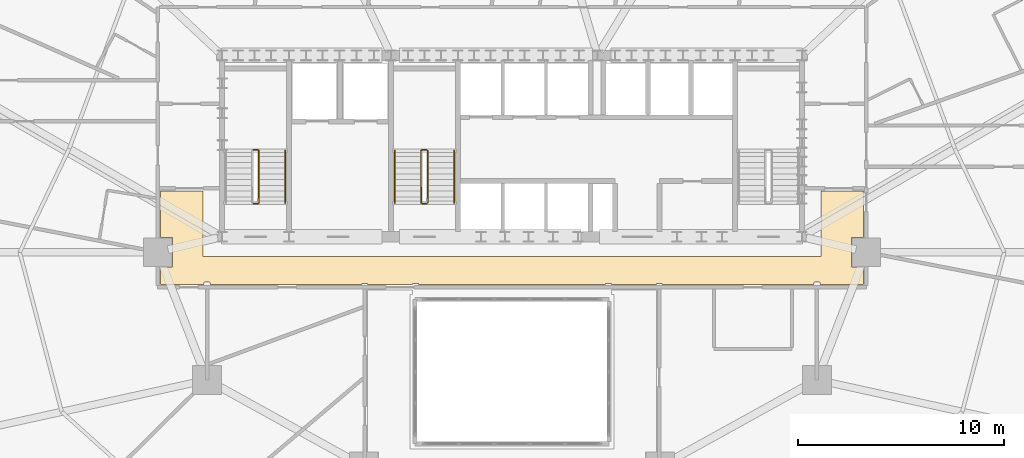
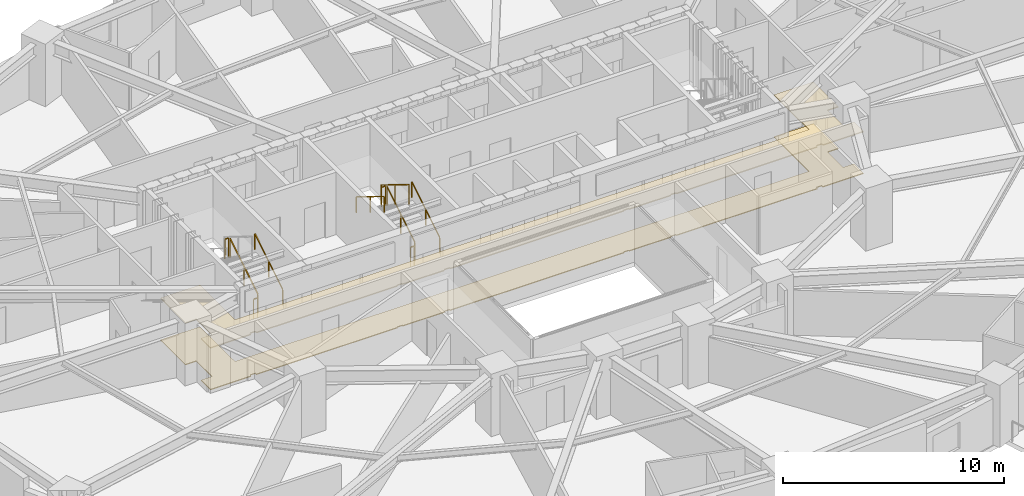
# One storey, part 15 of 17: 10 railings, 2 coverings.
"""IFC4 building model written with IfcOpenShell, lengths in metres."""

from ifc_helpers import new_model, si_unit, direction, frame, origin, origin_2d, place, context, subcontext, project, spatial, polyline, rectangle, outline, extrude, material, layer, layer_set, type_object, element, save


model = new_model("IFC4")

# Units and contexts
model_context = context("Model", 3, precision=1e-05, world=origin(), true_north=direction((0.0, 1.0)))
body_context = subcontext(model_context, "Body", "Model", "MODEL_VIEW")
ifc_project = project(units=[si_unit("LENGTHUNIT", "METRE"), si_unit("AREAUNIT", "SQUARE_METRE"), si_unit("VOLUMEUNIT", "CUBIC_METRE"), si_unit("PLANEANGLEUNIT", "RADIAN"), si_unit("MASSUNIT", "GRAM", prefix="KILO")], contexts=[model_context])

# Site, building, storey
site_placement = place(None, origin())
site = spatial("IfcSite", under=ifc_project, at=site_placement, CompositionType="ELEMENT")
building_placement = place(site_placement, origin())
building = spatial("IfcBuilding", under=site, at=building_placement, Name="Haldorwick Loom Tower", CompositionType="ELEMENT")
storey_placement = place(building_placement, frame((0.0, 0.0, 55.050048828125)))
storey = spatial("IfcBuildingStorey", under=building, at=storey_placement, Name="L14", CompositionType="ELEMENT", Elevation=55.050048828125)

# Coverings
ifc_material_1 = material(Name="Mineral Fibre Acoustic Ceiling Tile")
ifc_layer_1 = layer(ifc_material_1, 0.054931640625, Name="Mineral Fibre Acoustic Ceiling Tile")
ifc_layer_set_1 = layer_set([ifc_layer_1], Name="Mineral Fibre Acoustic Ceiling Tile")
covering_type_1 = type_object("IfcCoveringType", Name="ARC-COV-CEIL2", PredefinedType="CEILING", material=ifc_layer_set_1)
covering_1_placement = place(storey_placement, frame((0.0, 0.0, 2.302001953125)))
element("IfcCovering", 1, at=covering_1_placement, inside=storey, type_object=covering_type_1, Name="L14 Acoustic Suspended Ceiling 2", PredefinedType="CEILING", context=body_context, shape_type="SweptSolid", body=[
    extrude(outline(polyline([(51.0, 28.9599609375), (51.0, 25.800048828125), (21.0, 25.800048828125), (21.0, 28.9599609375), (18.93994140625, 28.9599609375), (18.93994140625, 26.7080078125), (19.508056640625, 26.7080078125), (19.508056640625, 25.2919921875), (18.93994140625, 25.2919921875), (18.93994140625, 24.43994140625), (21.06005859375, 24.43994140625), (21.06005859375, 24.52001953125), (21.06005859375, 24.52197265625), (21.060302734375, 24.52392578125), (21.060791015625, 24.52587890625), (21.0615234375, 24.527587890625), (21.0625, 24.529296875), (21.0634765625, 24.531005859375), (21.064453125, 24.53271484375), (21.06591796875, 24.5341796875), (21.0673828125, 24.535400390625), (21.06884765625, 24.53662109375), (21.070556640625, 24.53759765625), (21.072265625, 24.53857421875), (21.07421875, 24.5390625), (21.076171875, 24.53955078125), (21.077880859375, 24.539794921875), (21.080078125, 24.5400390625), (21.320068359375, 24.5400390625), (21.322021484375, 24.539794921875), (21.323974609375, 24.53955078125), (21.32568359375, 24.5390625), (21.32763671875, 24.53857421875), (21.329345703125, 24.53759765625), (21.3310546875, 24.53662109375), (21.332763671875, 24.535400390625), (21.333984375, 24.5341796875), (21.33544921875, 24.53271484375), (21.336669921875, 24.531005859375), (21.337646484375, 24.529296875), (21.33837890625, 24.527587890625), (21.339111328125, 24.52587890625), (21.339599609375, 24.52392578125), (21.33984375, 24.52197265625), (21.340087890625, 24.52001953125), (21.340087890625, 24.43994140625), (28.7099609375, 24.43994140625), (28.7099609375, 24.469970703125), (28.710205078125, 24.471923828125), (28.71044921875, 24.473876953125), (28.7109375, 24.475830078125), (28.71142578125, 24.477783203125), (28.71240234375, 24.4794921875), (28.71337890625, 24.481201171875), (28.714599609375, 24.482666015625), (28.7158203125, 24.484130859375), (28.71728515625, 24.485595703125), (28.718994140625, 24.486572265625), (28.720703125, 24.487548828125), (28.722412109375, 24.488525390625), (28.72412109375, 24.489013671875), (28.72607421875, 24.489501953125), (28.72802734375, 24.489990234375), (28.72998046875, 24.489990234375), (28.969970703125, 24.489990234375), (28.971923828125, 24.489990234375), (28.973876953125, 24.489501953125), (28.975830078125, 24.489013671875), (28.977783203125, 24.488525390625), (28.9794921875, 24.487548828125), (28.981201171875, 24.486572265625), (28.982666015625, 24.485595703125), (28.984130859375, 24.484130859375), (28.985595703125, 24.482666015625), (28.986572265625, 24.481201171875), (28.987548828125, 24.4794921875), (28.988525390625, 24.477783203125), (28.989013671875, 24.475830078125), (28.989501953125, 24.473876953125), (28.989990234375, 24.471923828125), (28.989990234375, 24.469970703125), (28.989990234375, 24.43994140625), (31.179931640625, 24.43994140625), (31.179931640625, 24.469970703125), (31.18017578125, 24.471923828125), (31.180419921875, 24.473876953125), (31.180908203125, 24.475830078125), (31.181396484375, 24.477783203125), (31.182373046875, 24.4794921875), (31.183349609375, 24.481201171875), (31.1845703125, 24.482666015625), (31.185791015625, 24.484130859375), (31.187255859375, 24.485595703125), (31.18896484375, 24.486572265625), (31.190673828125, 24.487548828125), (31.1923828125, 24.488525390625), (31.194091796875, 24.489013671875), (31.196044921875, 24.489501953125), (31.197998046875, 24.489990234375), (31.199951171875, 24.489990234375), (31.43994140625, 24.489990234375), (31.44189453125, 24.489990234375), (31.44384765625, 24.489501953125), (31.44580078125, 24.489013671875), (31.44775390625, 24.488525390625), (31.449462890625, 24.487548828125), (31.451171875, 24.486572265625), (31.45263671875, 24.485595703125), (31.4541015625, 24.484130859375), (31.45556640625, 24.482666015625), (31.45654296875, 24.481201171875), (31.45751953125, 24.4794921875), (31.45849609375, 24.477783203125), (31.458984375, 24.475830078125), (31.459716796875, 24.473876953125), (31.4599609375, 24.471923828125), (31.4599609375, 24.469970703125), (31.4599609375, 24.43994140625), (40.5400390625, 24.43994140625), (40.5400390625, 24.469970703125), (40.5400390625, 24.471923828125), (40.540283203125, 24.473876953125), (40.541015625, 24.475830078125), (40.54150390625, 24.477783203125), (40.54248046875, 24.4794921875), (40.54345703125, 24.481201171875), (40.54443359375, 24.482666015625), (40.5458984375, 24.484130859375), (40.54736328125, 24.485595703125), (40.548828125, 24.486572265625), (40.550537109375, 24.487548828125), (40.55224609375, 24.488525390625), (40.55419921875, 24.489013671875), (40.55615234375, 24.489501953125), (40.55810546875, 24.489990234375), (40.56005859375, 24.489990234375), (40.800048828125, 24.489990234375), (40.802001953125, 24.489990234375), (40.803955078125, 24.489501953125), (40.805908203125, 24.489013671875), (40.8076171875, 24.488525390625), (40.809326171875, 24.487548828125), (40.81103515625, 24.486572265625), (40.812744140625, 24.485595703125), (40.814208984375, 24.484130859375), (40.8154296875, 24.482666015625), (40.816650390625, 24.481201171875), (40.817626953125, 24.4794921875), (40.818603515625, 24.477783203125), (40.819091796875, 24.475830078125), (40.819580078125, 24.473876953125), (40.81982421875, 24.471923828125), (40.820068359375, 24.469970703125), (40.820068359375, 24.43994140625), (43.010009765625, 24.43994140625), (43.010009765625, 24.469970703125), (43.010009765625, 24.471923828125), (43.010498046875, 24.473876953125), (43.010986328125, 24.475830078125), (43.011474609375, 24.477783203125), (43.012451171875, 24.4794921875), (43.013427734375, 24.481201171875), (43.014404296875, 24.482666015625), (43.015869140625, 24.484130859375), (43.017333984375, 24.485595703125), (43.018798828125, 24.486572265625), (43.0205078125, 24.487548828125), (43.022216796875, 24.488525390625), (43.024169921875, 24.489013671875), (43.026123046875, 24.489501953125), (43.028076171875, 24.489990234375), (43.030029296875, 24.489990234375), (43.27001953125, 24.489990234375), (43.27197265625, 24.489990234375), (43.27392578125, 24.489501953125), (43.27587890625, 24.489013671875), (43.277587890625, 24.488525390625), (43.279296875, 24.487548828125), (43.281005859375, 24.486572265625), (43.28271484375, 24.485595703125), (43.2841796875, 24.484130859375), (43.285400390625, 24.482666015625), (43.28662109375, 24.481201171875), (43.28759765625, 24.4794921875), (43.28857421875, 24.477783203125), (43.2890625, 24.475830078125), (43.28955078125, 24.473876953125), (43.289794921875, 24.471923828125), (43.2900390625, 24.469970703125), (43.2900390625, 24.43994140625), (50.659912109375, 24.43994140625), (50.659912109375, 24.52001953125), (50.66015625, 24.52197265625), (50.660400390625, 24.52392578125), (50.660888671875, 24.52587890625), (50.66162109375, 24.527587890625), (50.662353515625, 24.529296875), (50.663330078125, 24.531005859375), (50.66455078125, 24.53271484375), (50.666015625, 24.5341796875), (50.667236328125, 24.535400390625), (50.6689453125, 24.53662109375), (50.670654296875, 24.53759765625), (50.67236328125, 24.53857421875), (50.67431640625, 24.5390625), (50.676025390625, 24.53955078125), (50.677978515625, 24.539794921875), (50.679931640625, 24.5400390625), (50.919921875, 24.5400390625), (50.922119140625, 24.539794921875), (50.923828125, 24.53955078125), (50.92578125, 24.5390625), (50.927734375, 24.53857421875), (50.929443359375, 24.53759765625), (50.93115234375, 24.53662109375), (50.9326171875, 24.535400390625), (50.93408203125, 24.5341796875), (50.935546875, 24.53271484375), (50.9365234375, 24.531005859375), (50.9375, 24.529296875), (50.9384765625, 24.527587890625), (50.939208984375, 24.52587890625), (50.939697265625, 24.52392578125), (50.93994140625, 24.52197265625), (50.93994140625, 24.52001953125), (50.93994140625, 24.43994140625), (53.06005859375, 24.43994140625), (53.06005859375, 25.2919921875), (52.491943359375, 25.2919921875), (52.491943359375, 26.7080078125), (53.06005859375, 26.7080078125), (53.06005859375, 28.9599609375), (51.0, 28.9599609375)])), origin(), (0.0, 0.0, 1.0), 0.054931640625),
])
ifc_material_2 = material(Name="Polished Aggregate Terrazzo Finish")
ifc_layer_2 = layer(ifc_material_2, 0.044921875, Name="Polished Aggregate Terrazzo Finish")
ifc_layer_set_2 = layer_set([ifc_layer_2], Name="Polished Aggregate Terrazzo Finish")
covering_type_2 = type_object("IfcCoveringType", Name="ARC-COV-FLOOR2", PredefinedType="FLOORING", material=ifc_layer_set_2)
covering_2_placement = place(storey_placement, origin())
element("IfcCovering", 2, at=covering_2_placement, inside=storey, type_object=covering_type_2, Name="L14 Floor Finish 2", PredefinedType="FLOORING", context=body_context, shape_type="SweptSolid", body=[
    extrude(outline(polyline([(51.0, 28.9599609375), (51.0, 25.800048828125), (21.0, 25.800048828125), (21.0, 28.9599609375), (18.93994140625, 28.9599609375), (18.93994140625, 26.7080078125), (19.508056640625, 26.7080078125), (19.508056640625, 25.2919921875), (18.93994140625, 25.2919921875), (18.93994140625, 24.43994140625), (21.06005859375, 24.43994140625), (21.06005859375, 24.52001953125), (21.06005859375, 24.52197265625), (21.060302734375, 24.52392578125), (21.060791015625, 24.52587890625), (21.0615234375, 24.527587890625), (21.0625, 24.529296875), (21.0634765625, 24.531005859375), (21.064453125, 24.53271484375), (21.06591796875, 24.5341796875), (21.0673828125, 24.535400390625), (21.06884765625, 24.53662109375), (21.070556640625, 24.53759765625), (21.072265625, 24.53857421875), (21.07421875, 24.5390625), (21.076171875, 24.53955078125), (21.077880859375, 24.539794921875), (21.080078125, 24.5400390625), (21.320068359375, 24.5400390625), (21.322021484375, 24.539794921875), (21.323974609375, 24.53955078125), (21.32568359375, 24.5390625), (21.32763671875, 24.53857421875), (21.329345703125, 24.53759765625), (21.3310546875, 24.53662109375), (21.332763671875, 24.535400390625), (21.333984375, 24.5341796875), (21.33544921875, 24.53271484375), (21.336669921875, 24.531005859375), (21.337646484375, 24.529296875), (21.33837890625, 24.527587890625), (21.339111328125, 24.52587890625), (21.339599609375, 24.52392578125), (21.33984375, 24.52197265625), (21.340087890625, 24.52001953125), (21.340087890625, 24.43994140625), (28.7099609375, 24.43994140625), (28.7099609375, 24.469970703125), (28.710205078125, 24.471923828125), (28.71044921875, 24.473876953125), (28.7109375, 24.475830078125), (28.71142578125, 24.477783203125), (28.71240234375, 24.4794921875), (28.71337890625, 24.481201171875), (28.714599609375, 24.482666015625), (28.7158203125, 24.484130859375), (28.71728515625, 24.485595703125), (28.718994140625, 24.486572265625), (28.720703125, 24.487548828125), (28.722412109375, 24.488525390625), (28.72412109375, 24.489013671875), (28.72607421875, 24.489501953125), (28.72802734375, 24.489990234375), (28.72998046875, 24.489990234375), (28.969970703125, 24.489990234375), (28.971923828125, 24.489990234375), (28.973876953125, 24.489501953125), (28.975830078125, 24.489013671875), (28.977783203125, 24.488525390625), (28.9794921875, 24.487548828125), (28.981201171875, 24.486572265625), (28.982666015625, 24.485595703125), (28.984130859375, 24.484130859375), (28.985595703125, 24.482666015625), (28.986572265625, 24.481201171875), (28.987548828125, 24.4794921875), (28.988525390625, 24.477783203125), (28.989013671875, 24.475830078125), (28.989501953125, 24.473876953125), (28.989990234375, 24.471923828125), (28.989990234375, 24.469970703125), (28.989990234375, 24.43994140625), (31.179931640625, 24.43994140625), (31.179931640625, 24.469970703125), (31.18017578125, 24.471923828125), (31.180419921875, 24.473876953125), (31.180908203125, 24.475830078125), (31.181396484375, 24.477783203125), (31.182373046875, 24.4794921875), (31.183349609375, 24.481201171875), (31.1845703125, 24.482666015625), (31.185791015625, 24.484130859375), (31.187255859375, 24.485595703125), (31.18896484375, 24.486572265625), (31.190673828125, 24.487548828125), (31.1923828125, 24.488525390625), (31.194091796875, 24.489013671875), (31.196044921875, 24.489501953125), (31.197998046875, 24.489990234375), (31.199951171875, 24.489990234375), (31.43994140625, 24.489990234375), (31.44189453125, 24.489990234375), (31.44384765625, 24.489501953125), (31.44580078125, 24.489013671875), (31.44775390625, 24.488525390625), (31.449462890625, 24.487548828125), (31.451171875, 24.486572265625), (31.45263671875, 24.485595703125), (31.4541015625, 24.484130859375), (31.45556640625, 24.482666015625), (31.45654296875, 24.481201171875), (31.45751953125, 24.4794921875), (31.45849609375, 24.477783203125), (31.458984375, 24.475830078125), (31.459716796875, 24.473876953125), (31.4599609375, 24.471923828125), (31.4599609375, 24.469970703125), (31.4599609375, 24.43994140625), (40.5400390625, 24.43994140625), (40.5400390625, 24.469970703125), (40.5400390625, 24.471923828125), (40.540283203125, 24.473876953125), (40.541015625, 24.475830078125), (40.54150390625, 24.477783203125), (40.54248046875, 24.4794921875), (40.54345703125, 24.481201171875), (40.54443359375, 24.482666015625), (40.5458984375, 24.484130859375), (40.54736328125, 24.485595703125), (40.548828125, 24.486572265625), (40.550537109375, 24.487548828125), (40.55224609375, 24.488525390625), (40.55419921875, 24.489013671875), (40.55615234375, 24.489501953125), (40.55810546875, 24.489990234375), (40.56005859375, 24.489990234375), (40.800048828125, 24.489990234375), (40.802001953125, 24.489990234375), (40.803955078125, 24.489501953125), (40.805908203125, 24.489013671875), (40.8076171875, 24.488525390625), (40.809326171875, 24.487548828125), (40.81103515625, 24.486572265625), (40.812744140625, 24.485595703125), (40.814208984375, 24.484130859375), (40.8154296875, 24.482666015625), (40.816650390625, 24.481201171875), (40.817626953125, 24.4794921875), (40.818603515625, 24.477783203125), (40.819091796875, 24.475830078125), (40.819580078125, 24.473876953125), (40.81982421875, 24.471923828125), (40.820068359375, 24.469970703125), (40.820068359375, 24.43994140625), (43.010009765625, 24.43994140625), (43.010009765625, 24.469970703125), (43.010009765625, 24.471923828125), (43.010498046875, 24.473876953125), (43.010986328125, 24.475830078125), (43.011474609375, 24.477783203125), (43.012451171875, 24.4794921875), (43.013427734375, 24.481201171875), (43.014404296875, 24.482666015625), (43.015869140625, 24.484130859375), (43.017333984375, 24.485595703125), (43.018798828125, 24.486572265625), (43.0205078125, 24.487548828125), (43.022216796875, 24.488525390625), (43.024169921875, 24.489013671875), (43.026123046875, 24.489501953125), (43.028076171875, 24.489990234375), (43.030029296875, 24.489990234375), (43.27001953125, 24.489990234375), (43.27197265625, 24.489990234375), (43.27392578125, 24.489501953125), (43.27587890625, 24.489013671875), (43.277587890625, 24.488525390625), (43.279296875, 24.487548828125), (43.281005859375, 24.486572265625), (43.28271484375, 24.485595703125), (43.2841796875, 24.484130859375), (43.285400390625, 24.482666015625), (43.28662109375, 24.481201171875), (43.28759765625, 24.4794921875), (43.28857421875, 24.477783203125), (43.2890625, 24.475830078125), (43.28955078125, 24.473876953125), (43.289794921875, 24.471923828125), (43.2900390625, 24.469970703125), (43.2900390625, 24.43994140625), (50.659912109375, 24.43994140625), (50.659912109375, 24.52001953125), (50.66015625, 24.52197265625), (50.660400390625, 24.52392578125), (50.660888671875, 24.52587890625), (50.66162109375, 24.527587890625), (50.662353515625, 24.529296875), (50.663330078125, 24.531005859375), (50.66455078125, 24.53271484375), (50.666015625, 24.5341796875), (50.667236328125, 24.535400390625), (50.6689453125, 24.53662109375), (50.670654296875, 24.53759765625), (50.67236328125, 24.53857421875), (50.67431640625, 24.5390625), (50.676025390625, 24.53955078125), (50.677978515625, 24.539794921875), (50.679931640625, 24.5400390625), (50.919921875, 24.5400390625), (50.922119140625, 24.539794921875), (50.923828125, 24.53955078125), (50.92578125, 24.5390625), (50.927734375, 24.53857421875), (50.929443359375, 24.53759765625), (50.93115234375, 24.53662109375), (50.9326171875, 24.535400390625), (50.93408203125, 24.5341796875), (50.935546875, 24.53271484375), (50.9365234375, 24.531005859375), (50.9375, 24.529296875), (50.9384765625, 24.527587890625), (50.939208984375, 24.52587890625), (50.939697265625, 24.52392578125), (50.93994140625, 24.52197265625), (50.93994140625, 24.52001953125), (50.93994140625, 24.43994140625), (53.06005859375, 24.43994140625), (53.06005859375, 25.2919921875), (52.491943359375, 25.2919921875), (52.491943359375, 26.7080078125), (53.06005859375, 26.7080078125), (53.06005859375, 28.9599609375), (51.0, 28.9599609375)])), origin(), (0.0, 0.0, 1.0), 0.044921875),
])

# Railings
ifc_material_3 = material(Name="Steel CSA G40.21 350W", Category="steel")
railing_type_1 = type_object("IfcRailingType", Name="ARC-RLG-GUARD112", PredefinedType="GUARDRAIL", material=ifc_material_3)
railing_1_placement = place(storey_placement, frame((23.699951171875, 28.39990234375, 0.17236328125)))
element("IfcRailing", 3, at=railing_1_placement, inside=storey, type_object=railing_type_1, Name="L14 ST-01 stair guard 1", PredefinedType="GUARDRAIL", context=body_context, shape_type="SweptSolid", body=[
    extrude(rectangle(XDim=0.048095703125, YDim=0.048095703125, at=origin_2d()), frame((0.0, 0.0, 1.076171875), z_axis=(0.0, 0.851400495292, 0.524516154772), x_axis=(-1.0, 0.0, 0.0)), (0.0, 0.0, 1.0), 2.9599609375),
    extrude(rectangle(XDim=0.0419921875, YDim=0.0419921875, at=origin_2d()), origin(), (0.0, 0.0, 1.0), 1.052001953125),
    extrude(rectangle(XDim=0.0419921875, YDim=0.0419921875, at=origin_2d()), frame((0.0, 1.260009765625, 0.7763671875)), (0.0, 0.0, 1.0), 1.052001953125),
    extrude(rectangle(XDim=0.0419921875, YDim=0.0419921875, at=origin_2d()), frame((0.0, 2.52001953125, 1.552490234375)), (0.0, 0.0, 1.0), 1.052001953125),
])
for number, where, name in (
    (4, (23.64990234375, 30.969970703125, 1.724853515625), "L14 ST-01 stair guard 2"),
    (5, (23.64990234375, 28.35009765625, 0.0), "L14 ST-01 stair guard 4"),
):
    element("IfcRailing", number, at=place(storey_placement, frame(where)), inside=storey, type_object=railing_type_1, Name=name, PredefinedType="GUARDRAIL", context=body_context, shape_type="SweptSolid", body=[
        extrude(rectangle(XDim=0.048095703125, YDim=0.048095703125, at=origin_2d()), frame((0.0, 0.0, 1.076171875), z_axis=(-1.0, 0.0, 0.0), x_axis=(0.0, -1.0, 0.0)), (0.0, 0.0, 1.0), 0.199951171875),
        extrude(rectangle(XDim=0.0419921875, YDim=0.0419921875, at=origin_2d()), origin(), (0.0, 0.0, 1.0), 1.052001953125),
        extrude(rectangle(XDim=0.0419921875, YDim=0.0419921875, at=origin_2d()), frame((-0.199951171875, 0.0, 0.0)), (0.0, 0.0, 1.0), 1.052001953125),
    ])
railing_2_placement = place(storey_placement, frame((31.89990234375, 28.39990234375, 0.17236328125)))
element("IfcRailing", 6, at=railing_2_placement, inside=storey, type_object=railing_type_1, Name="L14 ST-03 stair guard 1", PredefinedType="GUARDRAIL", context=body_context, shape_type="SweptSolid", body=[
    extrude(rectangle(XDim=0.048095703125, YDim=0.048095703125, at=origin_2d()), frame((0.0, 0.0, 1.076171875), z_axis=(0.0, 0.851400495292, 0.524516154772), x_axis=(-1.0, 0.0, 0.0)), (0.0, 0.0, 1.0), 2.9599609375),
    extrude(rectangle(XDim=0.0419921875, YDim=0.0419921875, at=origin_2d()), origin(), (0.0, 0.0, 1.0), 1.052001953125),
    extrude(rectangle(XDim=0.0419921875, YDim=0.0419921875, at=origin_2d()), frame((0.0, 1.260009765625, 0.7763671875)), (0.0, 0.0, 1.0), 1.052001953125),
    extrude(rectangle(XDim=0.0419921875, YDim=0.0419921875, at=origin_2d()), frame((0.0, 2.52001953125, 1.552490234375)), (0.0, 0.0, 1.0), 1.052001953125),
])
railing_3_placement = place(storey_placement, frame((31.85009765625, 30.969970703125, 1.724853515625)))
element("IfcRailing", 7, at=railing_3_placement, inside=storey, type_object=railing_type_1, Name="L14 ST-03 stair guard 2", PredefinedType="GUARDRAIL", context=body_context, shape_type="SweptSolid", body=[
    extrude(rectangle(XDim=0.048095703125, YDim=0.048095703125, at=origin_2d()), frame((0.0, 0.0, 1.076171875), z_axis=(-1.0, 0.0, 0.0), x_axis=(0.0, -1.0, 0.0)), (0.0, 0.0, 1.0), 0.2001953125),
    extrude(rectangle(XDim=0.0419921875, YDim=0.0419921875, at=origin_2d()), origin(), (0.0, 0.0, 1.0), 1.052001953125),
    extrude(rectangle(XDim=0.0419921875, YDim=0.0419921875, at=origin_2d()), frame((-0.2001953125, 0.0, 0.0)), (0.0, 0.0, 1.0), 1.052001953125),
])
railing_4_placement = place(storey_placement, frame((31.60009765625, 30.919921875, 1.8974609375)))
element("IfcRailing", 8, at=railing_4_placement, inside=storey, type_object=railing_type_1, Name="L14 ST-03 stair guard 3", PredefinedType="GUARDRAIL", context=body_context, shape_type="SweptSolid", body=[
    extrude(rectangle(XDim=0.048095703125, YDim=0.048095703125, at=origin_2d()), frame((0.0, 0.0, 1.076171875), z_axis=(0.0, -0.851400495292, 0.524516154772), x_axis=(1.0, 0.0, 0.0)), (0.0, 0.0, 1.0), 2.9599609375),
    extrude(rectangle(XDim=0.0419921875, YDim=0.0419921875, at=origin_2d()), origin(), (0.0, 0.0, 1.0), 1.052001953125),
    extrude(rectangle(XDim=0.0419921875, YDim=0.0419921875, at=origin_2d()), frame((0.0, -1.260009765625, 0.7763671875)), (0.0, 0.0, 1.0), 1.052001953125),
    extrude(rectangle(XDim=0.0419921875, YDim=0.0419921875, at=origin_2d()), frame((0.0, -2.52001953125, 1.552490234375)), (0.0, 0.0, 1.0), 1.052001953125),
])
railing_5_placement = place(storey_placement, frame((31.85009765625, 28.35009765625, 0.0)))
element("IfcRailing", 9, at=railing_5_placement, inside=storey, type_object=railing_type_1, Name="L14 ST-03 stair guard 4", PredefinedType="GUARDRAIL", context=body_context, shape_type="SweptSolid", body=[
    extrude(rectangle(XDim=0.048095703125, YDim=0.048095703125, at=origin_2d()), frame((0.0, 0.0, 1.076171875), z_axis=(-1.0, 0.0, 0.0), x_axis=(0.0, -1.0, 0.0)), (0.0, 0.0, 1.0), 0.2001953125),
    extrude(rectangle(XDim=0.0419921875, YDim=0.0419921875, at=origin_2d()), origin(), (0.0, 0.0, 1.0), 1.052001953125),
    extrude(rectangle(XDim=0.0419921875, YDim=0.0419921875, at=origin_2d()), frame((-0.2001953125, 0.0, 0.0)), (0.0, 0.0, 1.0), 1.052001953125),
])
railing_type_2 = type_object("IfcRailingType", Name="ARC-RLG-HAND092", PredefinedType="HANDRAIL", material=ifc_material_3)
for number, where, name in (
    (10, (25.0, 28.39990234375, 0.17236328125), "L14 ST-01 stair handrail 1"),
    (11, (33.199951171875, 28.39990234375, 0.17236328125), "L14 ST-03 stair handrail 1"),
):
    element("IfcRailing", number, at=place(storey_placement, frame(where)), inside=storey, type_object=railing_type_2, Name=name, PredefinedType="HANDRAIL", context=body_context, shape_type="SweptSolid", body=[
        extrude(rectangle(XDim=0.048095703125, YDim=0.048095703125, at=origin_2d()), frame((0.0, 0.0, 0.8759765625), z_axis=(0.0, 0.851400495292, 0.524516154772), x_axis=(-1.0, 0.0, 0.0)), (0.0, 0.0, 1.0), 2.9599609375),
        extrude(rectangle(XDim=0.0419921875, YDim=0.0419921875, at=origin_2d()), origin(), (0.0, 0.0, 1.0), 0.851806640625),
        extrude(rectangle(XDim=0.0419921875, YDim=0.0419921875, at=origin_2d()), frame((0.0, 1.260009765625, 0.7763671875)), (0.0, 0.0, 1.0), 0.851806640625),
        extrude(rectangle(XDim=0.0419921875, YDim=0.0419921875, at=origin_2d()), frame((0.0, 2.52001953125, 1.552490234375)), (0.0, 0.0, 1.0), 0.851806640625),
    ])
railing_6_placement = place(storey_placement, frame((30.300048828125, 30.919921875, 1.8974609375)))
element("IfcRailing", 12, at=railing_6_placement, inside=storey, type_object=railing_type_2, Name="L14 ST-03 stair handrail 2", PredefinedType="HANDRAIL", context=body_context, shape_type="SweptSolid", body=[
    extrude(rectangle(XDim=0.048095703125, YDim=0.048095703125, at=origin_2d()), frame((0.0, 0.0, 0.8759765625), z_axis=(0.0, -0.851400495292, 0.524516154772), x_axis=(1.0, 0.0, 0.0)), (0.0, 0.0, 1.0), 2.9599609375),
    extrude(rectangle(XDim=0.0419921875, YDim=0.0419921875, at=origin_2d()), origin(), (0.0, 0.0, 1.0), 0.851806640625),
    extrude(rectangle(XDim=0.0419921875, YDim=0.0419921875, at=origin_2d()), frame((0.0, -1.260009765625, 0.7763671875)), (0.0, 0.0, 1.0), 0.851806640625),
    extrude(rectangle(XDim=0.0419921875, YDim=0.0419921875, at=origin_2d()), frame((0.0, -2.52001953125, 1.552490234375)), (0.0, 0.0, 1.0), 0.851806640625),
])

save(model, "model.ifc")
